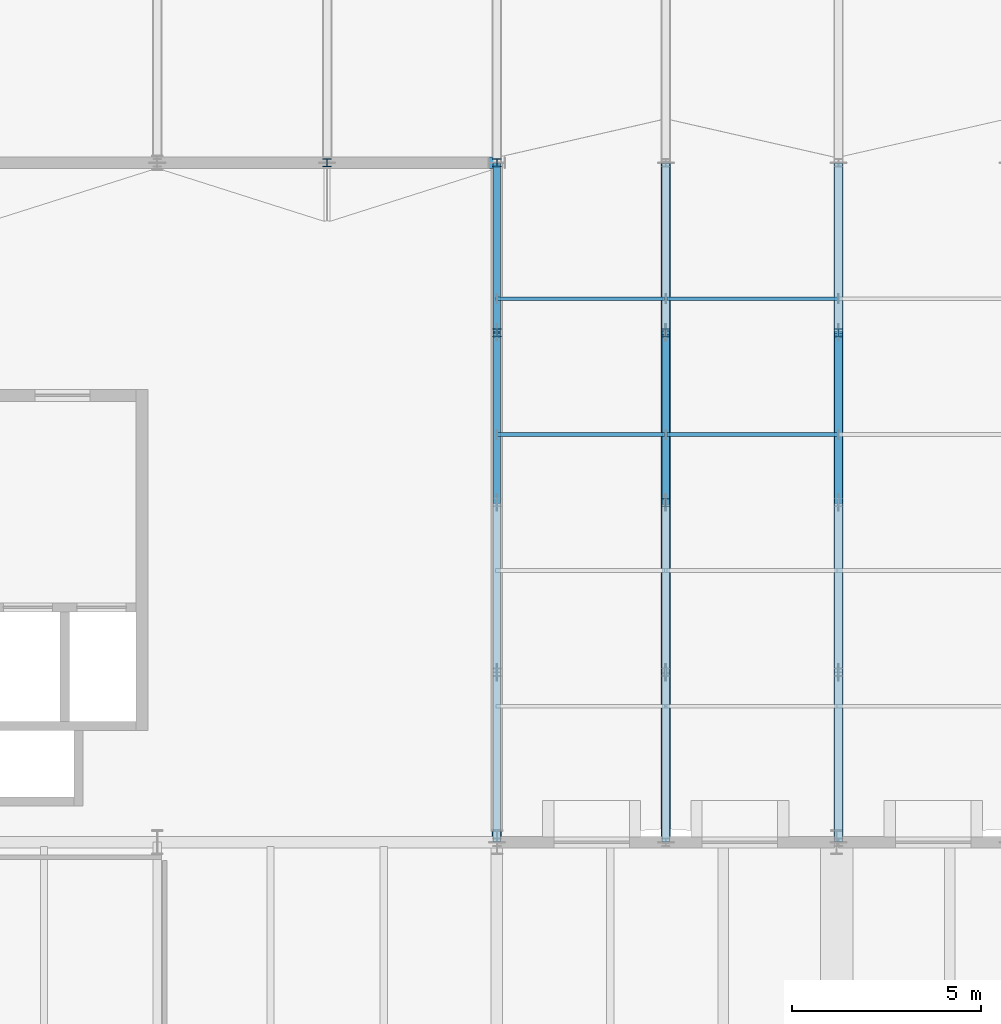
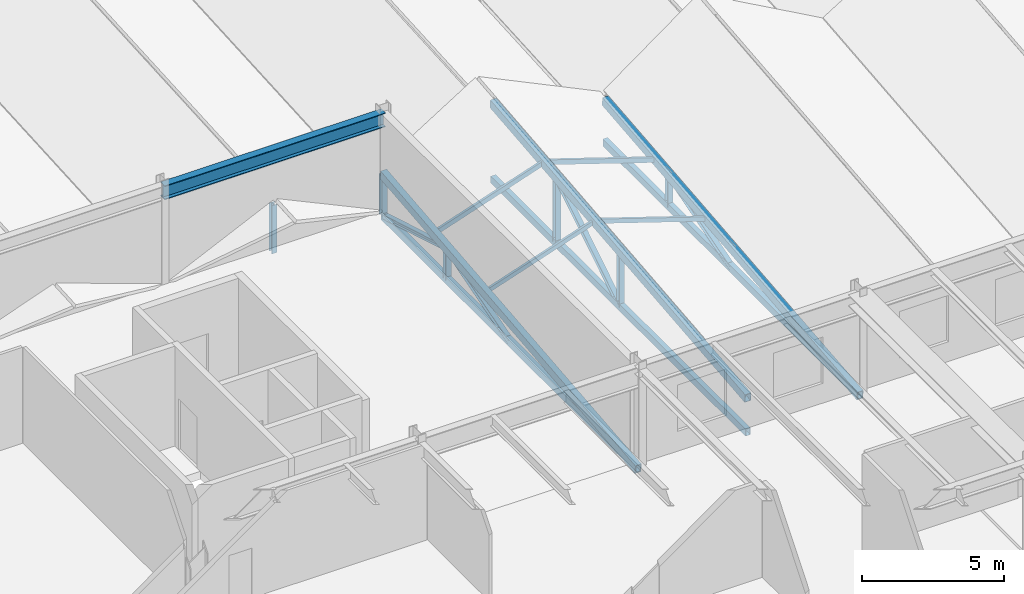
# One storey, part 26 of 142: 20 members, 1 beam.
"""IFC4 building model written with IfcOpenShell, lengths in metres."""

from ifc_helpers import new_model, si_unit, direction, frame, origin, origin_2d, place, context, subcontext, project, spatial, hollow_rectangle, i_section, extrude, material, material_profile, profile_set, type_object, element, save


model = new_model("IFC4")

# Units and contexts
model_context = context("Model", 3, precision=1e-05, world=origin(), true_north=direction((0.0, 1.0)))
body_context = subcontext(model_context, "Body", "Model", "MODEL_VIEW")
ifc_project = project(units=[si_unit("LENGTHUNIT", "METRE"), si_unit("AREAUNIT", "SQUARE_METRE"), si_unit("VOLUMEUNIT", "CUBIC_METRE"), si_unit("PLANEANGLEUNIT", "RADIAN"), si_unit("MASSUNIT", "GRAM", prefix="KILO")], contexts=[model_context])

# Site, building, storey
site_placement = place(None, origin())
site = spatial("IfcSite", under=ifc_project, at=site_placement, CompositionType="ELEMENT")
building_placement = place(site_placement, origin())
building = spatial("IfcBuilding", under=site, at=building_placement, Name="Montelvaro Courts of Justice", CompositionType="ELEMENT")
storey_placement = place(building_placement, frame((0.0, 0.0, 14.39990234375)))
storey = spatial("IfcBuildingStorey", under=building, at=storey_placement, Name="L03", CompositionType="ELEMENT", Elevation=14.39990234375)

# Beam
ifc_material = material(Name="Steel S355", Category="steel")
ifc_material_profile_1 = material_profile(ifc_material, i_section(OverallWidth=0.300048828125, OverallDepth=0.60009765625, WebThickness=0.015380859375, FlangeThickness=0.030029296875, at=origin_2d()), Name="HEB 600")
ifc_profile_set_1 = profile_set([ifc_material_profile_1], Name="Steel S355")
beam_type = type_object("IfcBeamType", Name="Beam_HEB600", PredefinedType="USERDEFINED", material=ifc_profile_set_1)
beam_placement = place(storey_placement, frame((63.0, 42.0, 3.900146484375), z_axis=(1.0, 0.0, 0.0), x_axis=(0.0, 1.0, 0.0)))
element("IfcBeam", 1, at=beam_placement, inside=storey, type_object=beam_type, Name="V3 Roof Eave Girder", ObjectType="GIRDER", PredefinedType="USERDEFINED", context=body_context, shape_type="SweptSolid", body=[
    extrude(i_section(OverallWidth=0.300048828125, OverallDepth=0.60009765625, WebThickness=0.015380859375, FlangeThickness=0.030029296875, at=origin_2d()), origin(), (0.0, 0.0, 1.0), 9.0),
])

# Members
ifc_material_profile_2 = material_profile(ifc_material, i_section(OverallWidth=0.199951171875, OverallDepth=0.18994140625, WebThickness=0.006591796875, FlangeThickness=0.010009765625, at=origin_2d()), Name="HEA 200")
ifc_profile_set_2 = profile_set([ifc_material_profile_2], Name="Steel S355")
member_type_1 = type_object("IfcMemberType", Name="Mem_HEA200_Brace", PredefinedType="BRACE", material=ifc_profile_set_2)
for number, where, z_axis, x_axis, name in (
    (2, (72.0, 33.0, -0.2998046875), (0.0, 0.959000997748, 0.283402692857), (-1.0, 0.0, 0.0), "Roof Truss Web MB-02 ROOF-PASSAGE-S-VTR01-W3"),
    (3, (72.0, 37.5, 1.030029296875), (0.0, 0.959000997748, -0.283402692857), (-1.0, 0.0, 0.0), "Roof Truss Web MB-02 ROOF-PASSAGE-S-VTR01-W4"),
    (4, (81.050048828125, 33.0, -0.2998046875), (0.0, 0.959000997748, 0.283402692857), (-1.0, 0.0, 0.0), "Roof Truss Web MB-02 ROOF-PASSAGE-S-VTR02-W3"),
):
    element("IfcMember", number, at=place(storey_placement, frame(where, z_axis=z_axis, x_axis=x_axis)), inside=storey, type_object=member_type_1, Name=name, PredefinedType="BRACE", context=body_context, shape_type="SweptSolid", body=[
        extrude(i_section(OverallWidth=0.199951171875, OverallDepth=0.18994140625, WebThickness=0.006591796875, FlangeThickness=0.010009765625, at=origin_2d()), origin(), (0.0, 0.0, 1.0), 4.6923828125),
    ])
member_1_placement = place(storey_placement, frame((76.47509765625, 33.0, -0.2998046875), z_axis=(0.0, 0.846529520992, 0.532341779395), x_axis=(-1.0, 0.0, 0.0)))
element("IfcMember", 5, at=member_1_placement, inside=storey, type_object=member_type_1, Name="Roof Truss Web MB-02 ROOF-PASSAGE-S-RTR01-W3", PredefinedType="BRACE", context=body_context, shape_type="SweptSolid", body=[
    extrude(i_section(OverallWidth=0.199951171875, OverallDepth=0.18994140625, WebThickness=0.006591796875, FlangeThickness=0.010009765625, at=origin_2d()), origin(), (0.0, 0.0, 1.0), 5.31591796875),
])
ifc_material_profile_3 = material_profile(ifc_material, i_section(OverallWidth=0.219970703125, OverallDepth=0.2099609375, WebThickness=0.007080078125, FlangeThickness=0.010986328125, at=origin_2d()), Name="HEA 220")
ifc_profile_set_3 = profile_set([ifc_material_profile_3], Name="Steel S355")
member_type_2 = type_object("IfcMemberType", Name="Mem_HEA220_Post", PredefinedType="POST", material=ifc_profile_set_3)
member_2_placement = place(storey_placement, frame((67.5, 42.0, -0.2998046875), z_axis=(0.0, 0.0, 1.0), x_axis=(1.0, 0.0, 0.0)))
element("IfcMember", 6, at=member_2_placement, inside=storey, type_object=member_type_2, Name="Roof Truss Post MP-03 ROOF-PASSAGE-RTR02-V0", PredefinedType="POST", context=body_context, shape_type="SweptSolid", body=[
    extrude(i_section(OverallWidth=0.219970703125, OverallDepth=0.2099609375, WebThickness=0.007080078125, FlangeThickness=0.010986328125, at=origin_2d()), origin(), (0.0, 0.0, 1.0), 2.079833984375),
])
member_3_placement = place(storey_placement, frame((72.0, 37.5, -0.2998046875), z_axis=(0.0, 0.0, 1.0), x_axis=(1.0, 0.0, 0.0)))
element("IfcMember", 7, at=member_3_placement, inside=storey, type_object=member_type_2, Name="Roof Truss Post MP-03 ROOF-PASSAGE-S-VTR01-V3", PredefinedType="POST", context=body_context, shape_type="SweptSolid", body=[
    extrude(i_section(OverallWidth=0.219970703125, OverallDepth=0.2099609375, WebThickness=0.007080078125, FlangeThickness=0.010986328125, at=origin_2d()), origin(), (0.0, 0.0, 1.0), 1.329833984375),
])
member_4_placement = place(storey_placement, frame((72.0, 42.0, -0.2998046875), z_axis=(0.0, 0.0, 1.0), x_axis=(1.0, 0.0, 0.0)))
element("IfcMember", 8, at=member_4_placement, inside=storey, type_object=member_type_2, Name="Roof Truss Post MP-03 ROOF-PASSAGE-S-VTR01-V4", PredefinedType="POST", context=body_context, shape_type="SweptSolid", body=[
    extrude(i_section(OverallWidth=0.219970703125, OverallDepth=0.2099609375, WebThickness=0.007080078125, FlangeThickness=0.010986328125, at=origin_2d()), origin(), (0.0, 0.0, 1.0), 1.77978515625),
])
member_5_placement = place(storey_placement, frame((81.050048828125, 37.5, -0.2998046875), z_axis=(0.0, 0.0, 1.0), x_axis=(1.0, 0.0, 0.0)))
element("IfcMember", 9, at=member_5_placement, inside=storey, type_object=member_type_2, Name="Roof Truss Post MP-03 ROOF-PASSAGE-S-VTR02-V3", PredefinedType="POST", context=body_context, shape_type="SweptSolid", body=[
    extrude(i_section(OverallWidth=0.219970703125, OverallDepth=0.2099609375, WebThickness=0.007080078125, FlangeThickness=0.010986328125, at=origin_2d()), origin(), (0.0, 0.0, 1.0), 1.329833984375),
])
member_6_placement = place(storey_placement, frame((76.47509765625, 33.0, -0.2998046875), z_axis=(0.0, 0.0, 1.0), x_axis=(1.0, 0.0, 0.0)))
element("IfcMember", 10, at=member_6_placement, inside=storey, type_object=member_type_2, Name="Roof Truss Post MP-03 ROOF-PASSAGE-S-RTR01-V2", PredefinedType="POST", context=body_context, shape_type="SweptSolid", body=[
    extrude(i_section(OverallWidth=0.219970703125, OverallDepth=0.2099609375, WebThickness=0.007080078125, FlangeThickness=0.010986328125, at=origin_2d()), origin(), (0.0, 0.0, 1.0), 2.3798828125),
])
member_7_placement = place(storey_placement, frame((76.47509765625, 37.5, -0.2998046875), z_axis=(0.0, 0.0, 1.0), x_axis=(1.0, 0.0, 0.0)))
element("IfcMember", 11, at=member_7_placement, inside=storey, type_object=member_type_2, Name="Roof Truss Post MP-03 ROOF-PASSAGE-S-RTR01-V3", PredefinedType="POST", context=body_context, shape_type="SweptSolid", body=[
    extrude(i_section(OverallWidth=0.219970703125, OverallDepth=0.2099609375, WebThickness=0.007080078125, FlangeThickness=0.010986328125, at=origin_2d()), origin(), (0.0, 0.0, 1.0), 2.829833984375),
])
ifc_material_profile_4 = material_profile(ifc_material, hollow_rectangle(XDim=0.10009765625, YDim=0.179931640625, WallThickness=0.008056640625, at=origin_2d()), Name="RHS 180x100x8")
ifc_profile_set_4 = profile_set([ifc_material_profile_4], Name="Steel S355")
member_type_3 = type_object("IfcMemberType", Name="Mem_RHS180_Purlin", PredefinedType="PURLIN", material=ifc_profile_set_4)
member_8_placement = place(storey_placement, frame((72.0, 34.800048828125, 0.760009765625), z_axis=(0.948154363052, 0.0, 0.317810169481), x_axis=(0.0, 1.0, 0.0)))
element("IfcMember", 12, at=member_8_placement, inside=storey, type_object=member_type_3, Name="Roof Purlin MR-03 ROOF-PASSAGE-S-PRL-01-3L", PredefinedType="PURLIN", context=body_context, shape_type="SweptSolid", body=[
    extrude(hollow_rectangle(XDim=0.10009765625, YDim=0.179931640625, WallThickness=0.008056640625, at=origin_2d()), origin(), (0.0, 0.0, 1.0), 4.7197265625),
])
member_9_placement = place(storey_placement, frame((76.47509765625, 34.800048828125, 2.260009765625), z_axis=(0.950228556575, 0.0, -0.311553671572), x_axis=(0.0, 1.0, 0.0)))
element("IfcMember", 13, at=member_9_placement, inside=storey, type_object=member_type_3, Name="Roof Purlin MR-03 ROOF-PASSAGE-S-PRL-01-3R", PredefinedType="PURLIN", context=body_context, shape_type="SweptSolid", body=[
    extrude(hollow_rectangle(XDim=0.10009765625, YDim=0.179931640625, WallThickness=0.008056640625, at=origin_2d()), origin(), (0.0, 0.0, 1.0), 4.814697265625),
])
ifc_material_profile_5 = material_profile(ifc_material, hollow_rectangle(XDim=0.10009765625, YDim=0.199951171875, WallThickness=0.008056640625, at=origin_2d()), Name="RHS 200x100x8")
ifc_profile_set_5 = profile_set([ifc_material_profile_5], Name="Steel S355")
member_type_4 = type_object("IfcMemberType", Name="Mem_RHS200_Purlin", PredefinedType="PURLIN", material=ifc_profile_set_5)
member_10_placement = place(storey_placement, frame((72.0, 38.39990234375, 1.1201171875), z_axis=(0.948154363052, 0.0, 0.317810169481), x_axis=(0.0, 1.0, 0.0)))
element("IfcMember", 14, at=member_10_placement, inside=storey, type_object=member_type_4, Name="Roof Purlin MR-04 ROOF-PASSAGE-S-PRL-01-4L", PredefinedType="PURLIN", context=body_context, shape_type="SweptSolid", body=[
    extrude(hollow_rectangle(XDim=0.10009765625, YDim=0.199951171875, WallThickness=0.008056640625, at=origin_2d()), origin(), (0.0, 0.0, 1.0), 4.7197265625),
])
member_11_placement = place(storey_placement, frame((76.47509765625, 38.39990234375, 2.6201171875), z_axis=(0.950228556575, 0.0, -0.311553671572), x_axis=(0.0, 1.0, 0.0)))
element("IfcMember", 15, at=member_11_placement, inside=storey, type_object=member_type_4, Name="Roof Purlin MR-04 ROOF-PASSAGE-S-PRL-01-4R", PredefinedType="PURLIN", context=body_context, shape_type="SweptSolid", body=[
    extrude(hollow_rectangle(XDim=0.10009765625, YDim=0.199951171875, WallThickness=0.008056640625, at=origin_2d()), origin(), (0.0, 0.0, 1.0), 4.814697265625),
])
ifc_material_profile_6 = material_profile(ifc_material, hollow_rectangle(XDim=0.199951171875, YDim=0.300048828125, WallThickness=0.012451171875, at=origin_2d()), Name="RHS 300x200x12.5")
ifc_profile_set_6 = profile_set([ifc_material_profile_6], Name="Steel S355")
member_type_5 = type_object("IfcMemberType", Name="Mem_RHS300_Chord", PredefinedType="CHORD", material=ifc_profile_set_6)
for number, where, z_axis, x_axis, name in (
    (16, (72.0, 24.0, -0.2998046875), (0.0, 1.0, 0.0), (-1.0, 0.0, 0.0), "Roof Truss ROOF-PASSAGE-S-VTR01 Bottom Chord"),
    (17, (81.050048828125, 24.0, -0.2998046875), (0.0, 1.0, 0.0), (-1.0, 0.0, 0.0), "Roof Truss ROOF-PASSAGE-S-VTR02 Bottom Chord"),
    (18, (76.47509765625, 24.0, -0.2998046875), (0.0, 1.0, 0.0), (-1.0, 0.0, 0.0), "Roof Truss ROOF-PASSAGE-S-RTR01 Bottom Chord"),
):
    element("IfcMember", number, at=place(storey_placement, frame(where, z_axis=z_axis, x_axis=x_axis)), inside=storey, type_object=member_type_5, Name=name, PredefinedType="CHORD", context=body_context, shape_type="SweptSolid", body=[
        extrude(hollow_rectangle(XDim=0.199951171875, YDim=0.300048828125, WallThickness=0.012451171875, at=origin_2d()), origin(), (0.0, 0.0, 1.0), 18.0),
    ])
ifc_material_profile_7 = material_profile(ifc_material, hollow_rectangle(XDim=0.25, YDim=0.35009765625, WallThickness=0.012451171875, at=origin_2d()), Name="RHS 350x250x12.5")
ifc_profile_set_7 = profile_set([ifc_material_profile_7], Name="Steel S355")
member_type_6 = type_object("IfcMemberType", Name="Mem_RHS350_Chord", PredefinedType="CHORD", material=ifc_profile_set_7)
for number, where, z_axis, x_axis, name in (
    (19, (72.0, 24.0, -0.31982421875), (0.0, 0.995038259148, 0.099493029059), (-1.0, 0.0, 0.0), "Roof Truss ROOF-PASSAGE-S-VTR01 Top Chord"),
    (20, (81.050048828125, 24.0, -0.31982421875), (0.0, 0.995038259148, 0.099493029059), (-1.0, 0.0, 0.0), "Roof Truss ROOF-PASSAGE-S-VTR02 Top Chord"),
    (21, (76.47509765625, 24.0, 1.18017578125), (0.0, 0.995038259148, 0.099493029059), (-1.0, 0.0, 0.0), "Roof Truss ROOF-PASSAGE-S-RTR01 Top Chord"),
):
    element("IfcMember", number, at=place(storey_placement, frame(where, z_axis=z_axis, x_axis=x_axis)), inside=storey, type_object=member_type_6, Name=name, PredefinedType="CHORD", context=body_context, shape_type="SweptSolid", body=[
        extrude(hollow_rectangle(XDim=0.25, YDim=0.35009765625, WallThickness=0.012451171875, at=origin_2d()), origin(), (0.0, 0.0, 1.0), 18.08984375),
    ])

save(model, "model.ifc")
